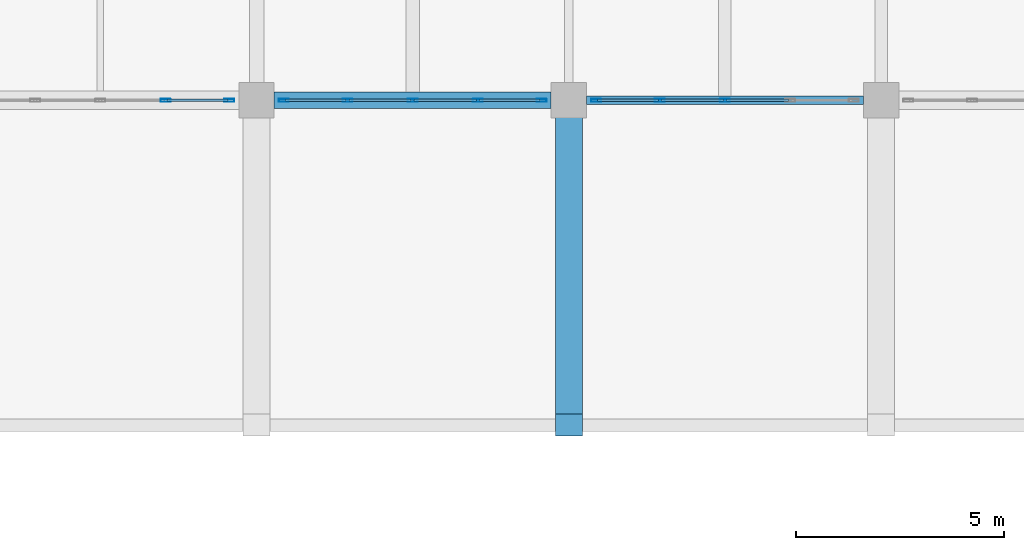
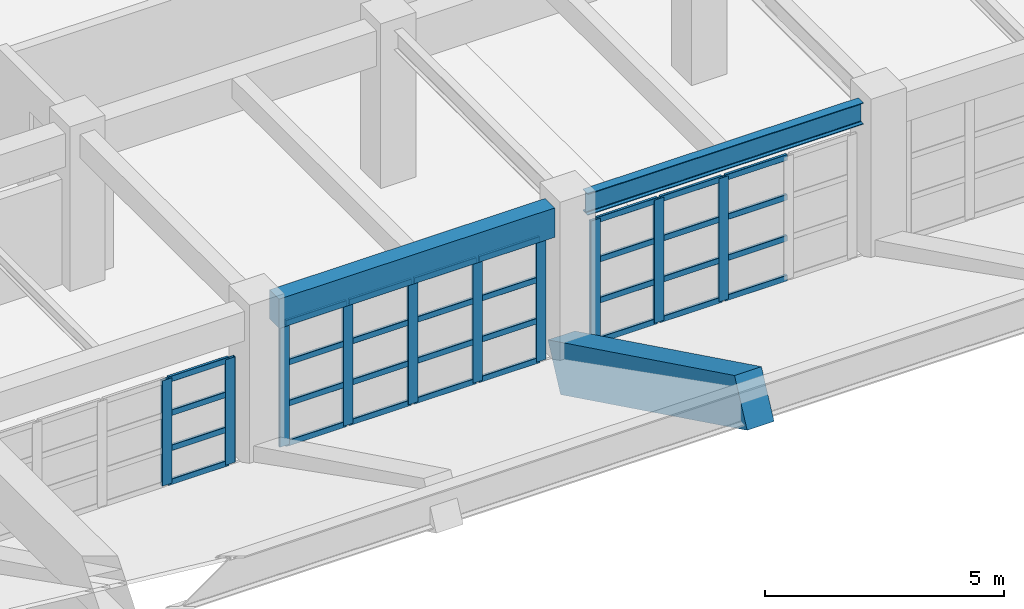
# One storey, part 30 of 132: 42 members, 3 beams, 3 elements without a shape of their own.
"""IFC4 building model written with IfcOpenShell, lengths in metres."""

from ifc_helpers import new_model, si_unit, direction, frame, origin, origin_2d, place, context, subcontext, project, spatial, rectangle, hollow_rectangle, i_section, extrude, material, material_profile, profile_set, type_object, element, aggregate, save


model = new_model("IFC4")

# Units and contexts
model_context = context("Model", 3, precision=1e-05, world=origin(), true_north=direction((0.0, 1.0)))
body_context = subcontext(model_context, "Body", "Model", "MODEL_VIEW")
ifc_project = project(units=[si_unit("LENGTHUNIT", "METRE"), si_unit("AREAUNIT", "SQUARE_METRE"), si_unit("VOLUMEUNIT", "CUBIC_METRE"), si_unit("PLANEANGLEUNIT", "RADIAN"), si_unit("MASSUNIT", "GRAM", prefix="KILO")], contexts=[model_context])

# Site, building, storey
site_placement = place(None, origin())
site = spatial("IfcSite", under=ifc_project, at=site_placement, CompositionType="ELEMENT")
building_placement = place(site_placement, origin())
building = spatial("IfcBuilding", under=site, at=building_placement, Name="Qasida Concert Hall", CompositionType="ELEMENT")
storey_placement = place(building_placement, frame((0.0, 0.0, 4.800048828125)))
storey = spatial("IfcBuildingStorey", under=building, at=storey_placement, Name="L01", CompositionType="ELEMENT", Elevation=4.800048828125)

# Beams
ifc_material_1 = material(Name="Concrete C50/60", Category="concrete")
ifc_material_profile_1 = material_profile(ifc_material_1, rectangle(XDim=0.64990234375, YDim=1.199951171875, at=origin_2d()), Name="RC 650x1200")
ifc_profile_set_1 = profile_set([ifc_material_profile_1], Name="Concrete C50/60")
beam_type_1 = type_object("IfcBeamType", Name="BM-CG-1200", PredefinedType="USERDEFINED", material=ifc_profile_set_1)
beam_1_placement = place(storey_placement, frame((75.0, 22.5, -0.300048828125), z_axis=(0.0, -0.898079250291, 0.439833673332), x_axis=(1.0, 0.0, 0.0)))
element("IfcBeam", 1, at=beam_1_placement, inside=storey, type_object=beam_type_1, Name="Upward-raked entrance soffit girder CGRK-750", ObjectType="GIRDER", PredefinedType="USERDEFINED", context=body_context, shape_type="SweptSolid", body=[
    extrude(rectangle(XDim=0.64990234375, YDim=1.199951171875, at=origin_2d()), origin(), (0.0, 0.0, 1.0), 8.685302734375),
])
ifc_material_2 = material(Name="Concrete C40/50", Category="concrete")
ifc_material_profile_2 = material_profile(ifc_material_2, rectangle(XDim=0.39990234375, YDim=0.75, at=origin_2d()), Name="RC 400x750")
ifc_profile_set_2 = profile_set([ifc_material_profile_2], Name="Concrete C40/50")
beam_type_2 = type_object("IfcBeamType", Name="BM-SP1", PredefinedType="SPANDREL", material=ifc_profile_set_2)
beam_2_placement = place(storey_placement, frame((67.925048828125, 22.5, 3.544921875), z_axis=(1.0, 0.0, 0.0), x_axis=(0.0, 1.0, 0.0)))
element("IfcBeam", 2, at=beam_2_placement, inside=storey, type_object=beam_type_2, Name="Primary girder 0762", PredefinedType="SPANDREL", context=body_context, shape_type="SweptSolid", body=[
    extrude(rectangle(XDim=0.39990234375, YDim=0.75, at=origin_2d()), origin(), (0.0, 0.0, 1.0), 6.64990234375),
])
ifc_material_3 = material(Name="Steel S355J2", Category="steel")
ifc_material_profile_3 = material_profile(ifc_material_3, i_section(OverallWidth=0.2099609375, OverallDepth=0.550048828125, WebThickness=0.010986328125, FlangeThickness=0.01708984375, FilletRadius=0.02392578125, at=origin_2d()), Name="IPE 550")
ifc_profile_set_3 = profile_set([ifc_material_profile_3], Name="Steel S355J2")
beam_type_3 = type_object("IfcBeamType", Name="BM-SP2", PredefinedType="SPANDREL", material=ifc_profile_set_3)
beam_3_placement = place(storey_placement, frame((75.425048828125, 22.5, 3.64501953125), z_axis=(1.0, 0.0, 0.0), x_axis=(0.0, 1.0, 0.0)))
element("IfcBeam", 3, at=beam_3_placement, inside=storey, type_object=beam_type_3, Name="Primary girder 0763", PredefinedType="SPANDREL", context=body_context, shape_type="SweptSolid", body=[
    extrude(i_section(OverallWidth=0.2099609375, OverallDepth=0.550048828125, WebThickness=0.010986328125, FlangeThickness=0.01708984375, FilletRadius=0.02392578125, at=origin_2d()), origin(), (0.0, 0.0, 1.0), 6.64990234375),
])

# Curtain wall, members
ifc_material_4 = material(Name="Architectural bronze-anodized aluminium and low-E glass", Category="aluminium")
curtain_wall_type = type_object("IfcCurtainWallType", Name="CW-02", PredefinedType="NOTDEFINED", material=ifc_material_4)
curtain_wall_1_placement = place(storey_placement, origin())
curtain_wall_1 = element("IfcCurtainWall", 4, at=curtain_wall_1_placement, inside=storey, type_object=curtain_wall_type, Name="L01 curtain wall CW-02 0002", PredefinedType="NOTDEFINED")
ifc_material_5 = material(Name="Architectural bronze-anodized aluminium EN AW-6063", Category="aluminium")
ifc_material_profile_4 = material_profile(ifc_material_5, hollow_rectangle(XDim=0.070068359375, YDim=0.239990234375, WallThickness=0.0048828125, InnerFilletRadius=0.0048828125, OuterFilletRadius=0.010009765625, at=origin_2d()), Name="CWM 240x70x5")
ifc_profile_set_4 = profile_set([ifc_material_profile_4], Name="Architectural bronze-anodized aluminium EN AW-6063")
member_type_1 = type_object("IfcMemberType", Name="MB-CWM-1", PredefinedType="MULLION", material=ifc_profile_set_4)
member_1_placement = place(storey_placement, frame((65.31494140625, 22.5, 0.0), z_axis=(0.0, 0.0, 1.0), x_axis=(0.0, 1.0, 0.0)))
member_1 = element("IfcMember", 5, at=member_1_placement, type_object=member_type_1, Name="CW-02 mullion 4", PredefinedType="MULLION", context=body_context, shape_type="SweptSolid", body=[
    extrude(hollow_rectangle(XDim=0.070068359375, YDim=0.239990234375, WallThickness=0.0048828125, InnerFilletRadius=0.0048828125, OuterFilletRadius=0.010009765625, at=origin_2d()), origin(), (0.0, 0.0, 1.0), 2.68994140625),
])
member_2_placement = place(storey_placement, frame((66.844970703125, 22.5, 0.0), z_axis=(0.0, 0.0, 1.0), x_axis=(0.0, 1.0, 0.0)))
member_2 = element("IfcMember", 6, at=member_2_placement, type_object=member_type_1, Name="CW-02 mullion 5", PredefinedType="MULLION", context=body_context, shape_type="SweptSolid", body=[
    extrude(hollow_rectangle(XDim=0.070068359375, YDim=0.239990234375, WallThickness=0.0048828125, InnerFilletRadius=0.0048828125, OuterFilletRadius=0.010009765625, at=origin_2d()), origin(), (0.0, 0.0, 1.0), 2.68994140625),
])

curtain_wall_2_placement = place(storey_placement, origin())
curtain_wall_2 = element("IfcCurtainWall", 7, at=curtain_wall_2_placement, inside=storey, type_object=curtain_wall_type, Name="L01 curtain wall CW-02 0003", PredefinedType="NOTDEFINED")
member_3_placement = place(storey_placement, frame((68.155029296875, 22.5, 0.0), z_axis=(0.0, 0.0, 1.0), x_axis=(0.0, 1.0, 0.0)))
member_3 = element("IfcMember", 8, at=member_3_placement, type_object=member_type_1, Name="CW-02 mullion 1", PredefinedType="MULLION", context=body_context, shape_type="SweptSolid", body=[
    extrude(hollow_rectangle(XDim=0.070068359375, YDim=0.239990234375, WallThickness=0.0048828125, InnerFilletRadius=0.0048828125, OuterFilletRadius=0.010009765625, at=origin_2d()), origin(), (0.0, 0.0, 1.0), 3.139892578125),
])
member_4_placement = place(storey_placement, frame((69.68505859375, 22.5, 0.0), z_axis=(0.0, 0.0, 1.0), x_axis=(0.0, 1.0, 0.0)))
member_4 = element("IfcMember", 9, at=member_4_placement, type_object=member_type_1, Name="CW-02 mullion 2", PredefinedType="MULLION", context=body_context, shape_type="SweptSolid", body=[
    extrude(hollow_rectangle(XDim=0.070068359375, YDim=0.239990234375, WallThickness=0.0048828125, InnerFilletRadius=0.0048828125, OuterFilletRadius=0.010009765625, at=origin_2d()), origin(), (0.0, 0.0, 1.0), 3.139892578125),
])
member_5_placement = place(storey_placement, frame((71.25, 22.5, 0.0), z_axis=(0.0, 0.0, 1.0), x_axis=(0.0, 1.0, 0.0)))
member_5 = element("IfcMember", 10, at=member_5_placement, type_object=member_type_1, Name="CW-02 mullion 3", PredefinedType="MULLION", context=body_context, shape_type="SweptSolid", body=[
    extrude(hollow_rectangle(XDim=0.070068359375, YDim=0.239990234375, WallThickness=0.0048828125, InnerFilletRadius=0.0048828125, OuterFilletRadius=0.010009765625, at=origin_2d()), origin(), (0.0, 0.0, 1.0), 3.139892578125),
])
member_6_placement = place(storey_placement, frame((72.81494140625, 22.5, 0.0), z_axis=(0.0, 0.0, 1.0), x_axis=(0.0, 1.0, 0.0)))
member_6 = element("IfcMember", 11, at=member_6_placement, type_object=member_type_1, Name="CW-02 mullion 4", PredefinedType="MULLION", context=body_context, shape_type="SweptSolid", body=[
    extrude(hollow_rectangle(XDim=0.070068359375, YDim=0.239990234375, WallThickness=0.0048828125, InnerFilletRadius=0.0048828125, OuterFilletRadius=0.010009765625, at=origin_2d()), origin(), (0.0, 0.0, 1.0), 3.139892578125),
])
member_7_placement = place(storey_placement, frame((74.344970703125, 22.5, 0.0), z_axis=(0.0, 0.0, 1.0), x_axis=(0.0, 1.0, 0.0)))
member_7 = element("IfcMember", 12, at=member_7_placement, type_object=member_type_1, Name="CW-02 mullion 5", PredefinedType="MULLION", context=body_context, shape_type="SweptSolid", body=[
    extrude(hollow_rectangle(XDim=0.070068359375, YDim=0.239990234375, WallThickness=0.0048828125, InnerFilletRadius=0.0048828125, OuterFilletRadius=0.010009765625, at=origin_2d()), origin(), (0.0, 0.0, 1.0), 3.139892578125),
])

curtain_wall_3_placement = place(storey_placement, origin())
curtain_wall_3 = element("IfcCurtainWall", 13, at=curtain_wall_3_placement, inside=storey, type_object=curtain_wall_type, Name="L01 curtain wall CW-02 0004", PredefinedType="NOTDEFINED")
member_8_placement = place(storey_placement, frame((75.655029296875, 22.5, 0.0), z_axis=(0.0, 0.0, 1.0), x_axis=(0.0, 1.0, 0.0)))
member_8 = element("IfcMember", 14, at=member_8_placement, type_object=member_type_1, Name="CW-02 mullion 1", PredefinedType="MULLION", context=body_context, shape_type="SweptSolid", body=[
    extrude(hollow_rectangle(XDim=0.070068359375, YDim=0.239990234375, WallThickness=0.0048828125, InnerFilletRadius=0.0048828125, OuterFilletRadius=0.010009765625, at=origin_2d()), origin(), (0.0, 0.0, 1.0), 3.139892578125),
])
member_9_placement = place(storey_placement, frame((77.18505859375, 22.5, 0.0), z_axis=(0.0, 0.0, 1.0), x_axis=(0.0, 1.0, 0.0)))
member_9 = element("IfcMember", 15, at=member_9_placement, type_object=member_type_1, Name="CW-02 mullion 2", PredefinedType="MULLION", context=body_context, shape_type="SweptSolid", body=[
    extrude(hollow_rectangle(XDim=0.070068359375, YDim=0.239990234375, WallThickness=0.0048828125, InnerFilletRadius=0.0048828125, OuterFilletRadius=0.010009765625, at=origin_2d()), origin(), (0.0, 0.0, 1.0), 3.139892578125),
])
member_10_placement = place(storey_placement, frame((78.75, 22.5, 0.0), z_axis=(0.0, 0.0, 1.0), x_axis=(0.0, 1.0, 0.0)))
member_10 = element("IfcMember", 16, at=member_10_placement, type_object=member_type_1, Name="CW-02 mullion 3", PredefinedType="MULLION", context=body_context, shape_type="SweptSolid", body=[
    extrude(hollow_rectangle(XDim=0.070068359375, YDim=0.239990234375, WallThickness=0.0048828125, InnerFilletRadius=0.0048828125, OuterFilletRadius=0.010009765625, at=origin_2d()), origin(), (0.0, 0.0, 1.0), 3.139892578125),
])

# Member
ifc_material_profile_5 = material_profile(ifc_material_5, hollow_rectangle(XDim=0.06494140625, YDim=0.14990234375, WallThickness=0.00390625, InnerFilletRadius=0.00390625, OuterFilletRadius=0.008056640625, at=origin_2d()), Name="CWT 150x65x4")
ifc_profile_set_5 = profile_set([ifc_material_profile_5], Name="Architectural bronze-anodized aluminium EN AW-6063")
member_type_2 = type_object("IfcMemberType", Name="MB-CWT-1", PredefinedType="USERDEFINED", material=ifc_profile_set_5)
member_11_placement = place(storey_placement, frame((65.35009765625, 22.5, 0.032470703125), z_axis=(1.0, 0.0, 0.0), x_axis=(0.0, 1.0, 0.0)))
member_11 = element("IfcMember", 17, at=member_11_placement, type_object=member_type_2, Name="CW-02 transom 4.1", ObjectType="TRANSOM", PredefinedType="USERDEFINED", context=body_context, shape_type="SweptSolid", body=[
    extrude(hollow_rectangle(XDim=0.06494140625, YDim=0.14990234375, WallThickness=0.00390625, InnerFilletRadius=0.00390625, OuterFilletRadius=0.008056640625, at=origin_2d()), origin(), (0.0, 0.0, 1.0), 1.4599609375),
])

member_12_placement = place(storey_placement, frame((65.35009765625, 22.5, 0.896728515625), z_axis=(1.0, 0.0, 0.0), x_axis=(0.0, 1.0, 0.0)))
member_12 = element("IfcMember", 18, at=member_12_placement, type_object=member_type_2, Name="CW-02 transom 4.2", ObjectType="TRANSOM", PredefinedType="USERDEFINED", context=body_context, shape_type="SweptSolid", body=[
    extrude(hollow_rectangle(XDim=0.06494140625, YDim=0.14990234375, WallThickness=0.00390625, InnerFilletRadius=0.00390625, OuterFilletRadius=0.008056640625, at=origin_2d()), origin(), (0.0, 0.0, 1.0), 1.4599609375),
])

member_13_placement = place(storey_placement, frame((65.35009765625, 22.5, 1.793212890625), z_axis=(1.0, 0.0, 0.0), x_axis=(0.0, 1.0, 0.0)))
member_13 = element("IfcMember", 19, at=member_13_placement, type_object=member_type_2, Name="CW-02 transom 4.3", ObjectType="TRANSOM", PredefinedType="USERDEFINED", context=body_context, shape_type="SweptSolid", body=[
    extrude(hollow_rectangle(XDim=0.06494140625, YDim=0.14990234375, WallThickness=0.00390625, InnerFilletRadius=0.00390625, OuterFilletRadius=0.008056640625, at=origin_2d()), origin(), (0.0, 0.0, 1.0), 1.4599609375),
])

member_14_placement = place(storey_placement, frame((65.35009765625, 22.5, 2.657470703125), z_axis=(1.0, 0.0, 0.0), x_axis=(0.0, 1.0, 0.0)))
member_14 = element("IfcMember", 20, at=member_14_placement, type_object=member_type_2, Name="CW-02 transom 4.4", ObjectType="TRANSOM", PredefinedType="USERDEFINED", context=body_context, shape_type="SweptSolid", body=[
    extrude(hollow_rectangle(XDim=0.06494140625, YDim=0.14990234375, WallThickness=0.00390625, InnerFilletRadius=0.00390625, OuterFilletRadius=0.008056640625, at=origin_2d()), origin(), (0.0, 0.0, 1.0), 1.4599609375),
])

aggregate(curtain_wall_1, [member_1, member_2, member_11, member_12, member_13, member_14])

member_15_placement = place(storey_placement, frame((68.18994140625, 22.5, 0.032470703125), z_axis=(1.0, 0.0, 0.0), x_axis=(0.0, 1.0, 0.0)))
member_15 = element("IfcMember", 21, at=member_15_placement, type_object=member_type_2, Name="CW-02 transom 1.1", ObjectType="TRANSOM", PredefinedType="USERDEFINED", context=body_context, shape_type="SweptSolid", body=[
    extrude(hollow_rectangle(XDim=0.06494140625, YDim=0.14990234375, WallThickness=0.00390625, InnerFilletRadius=0.00390625, OuterFilletRadius=0.008056640625, at=origin_2d()), origin(), (0.0, 0.0, 1.0), 1.4599609375),
])

member_16_placement = place(storey_placement, frame((68.18994140625, 22.5, 1.046630859375), z_axis=(1.0, 0.0, 0.0), x_axis=(0.0, 1.0, 0.0)))
member_16 = element("IfcMember", 22, at=member_16_placement, type_object=member_type_2, Name="CW-02 transom 1.2", ObjectType="TRANSOM", PredefinedType="USERDEFINED", context=body_context, shape_type="SweptSolid", body=[
    extrude(hollow_rectangle(XDim=0.06494140625, YDim=0.14990234375, WallThickness=0.00390625, InnerFilletRadius=0.00390625, OuterFilletRadius=0.008056640625, at=origin_2d()), origin(), (0.0, 0.0, 1.0), 1.4599609375),
])

member_17_placement = place(storey_placement, frame((68.18994140625, 22.5, 2.09326171875), z_axis=(1.0, 0.0, 0.0), x_axis=(0.0, 1.0, 0.0)))
member_17 = element("IfcMember", 23, at=member_17_placement, type_object=member_type_2, Name="CW-02 transom 1.3", ObjectType="TRANSOM", PredefinedType="USERDEFINED", context=body_context, shape_type="SweptSolid", body=[
    extrude(hollow_rectangle(XDim=0.06494140625, YDim=0.14990234375, WallThickness=0.00390625, InnerFilletRadius=0.00390625, OuterFilletRadius=0.008056640625, at=origin_2d()), origin(), (0.0, 0.0, 1.0), 1.4599609375),
])

member_18_placement = place(storey_placement, frame((68.18994140625, 22.5, 3.107421875), z_axis=(1.0, 0.0, 0.0), x_axis=(0.0, 1.0, 0.0)))
member_18 = element("IfcMember", 24, at=member_18_placement, type_object=member_type_2, Name="CW-02 transom 1.4", ObjectType="TRANSOM", PredefinedType="USERDEFINED", context=body_context, shape_type="SweptSolid", body=[
    extrude(hollow_rectangle(XDim=0.06494140625, YDim=0.14990234375, WallThickness=0.00390625, InnerFilletRadius=0.00390625, OuterFilletRadius=0.008056640625, at=origin_2d()), origin(), (0.0, 0.0, 1.0), 1.4599609375),
])

member_19_placement = place(storey_placement, frame((69.719970703125, 22.5, 0.032470703125), z_axis=(1.0, 0.0, 0.0), x_axis=(0.0, 1.0, 0.0)))
member_19 = element("IfcMember", 25, at=member_19_placement, type_object=member_type_2, Name="CW-02 transom 2.1", ObjectType="TRANSOM", PredefinedType="USERDEFINED", context=body_context, shape_type="SweptSolid", body=[
    extrude(hollow_rectangle(XDim=0.06494140625, YDim=0.14990234375, WallThickness=0.00390625, InnerFilletRadius=0.00390625, OuterFilletRadius=0.008056640625, at=origin_2d()), origin(), (0.0, 0.0, 1.0), 1.4951171875),
])

member_20_placement = place(storey_placement, frame((69.719970703125, 22.5, 1.046630859375), z_axis=(1.0, 0.0, 0.0), x_axis=(0.0, 1.0, 0.0)))
member_20 = element("IfcMember", 26, at=member_20_placement, type_object=member_type_2, Name="CW-02 transom 2.2", ObjectType="TRANSOM", PredefinedType="USERDEFINED", context=body_context, shape_type="SweptSolid", body=[
    extrude(hollow_rectangle(XDim=0.06494140625, YDim=0.14990234375, WallThickness=0.00390625, InnerFilletRadius=0.00390625, OuterFilletRadius=0.008056640625, at=origin_2d()), origin(), (0.0, 0.0, 1.0), 1.4951171875),
])

member_21_placement = place(storey_placement, frame((69.719970703125, 22.5, 2.09326171875), z_axis=(1.0, 0.0, 0.0), x_axis=(0.0, 1.0, 0.0)))
member_21 = element("IfcMember", 27, at=member_21_placement, type_object=member_type_2, Name="CW-02 transom 2.3", ObjectType="TRANSOM", PredefinedType="USERDEFINED", context=body_context, shape_type="SweptSolid", body=[
    extrude(hollow_rectangle(XDim=0.06494140625, YDim=0.14990234375, WallThickness=0.00390625, InnerFilletRadius=0.00390625, OuterFilletRadius=0.008056640625, at=origin_2d()), origin(), (0.0, 0.0, 1.0), 1.4951171875),
])

member_22_placement = place(storey_placement, frame((69.719970703125, 22.5, 3.107421875), z_axis=(1.0, 0.0, 0.0), x_axis=(0.0, 1.0, 0.0)))
member_22 = element("IfcMember", 28, at=member_22_placement, type_object=member_type_2, Name="CW-02 transom 2.4", ObjectType="TRANSOM", PredefinedType="USERDEFINED", context=body_context, shape_type="SweptSolid", body=[
    extrude(hollow_rectangle(XDim=0.06494140625, YDim=0.14990234375, WallThickness=0.00390625, InnerFilletRadius=0.00390625, OuterFilletRadius=0.008056640625, at=origin_2d()), origin(), (0.0, 0.0, 1.0), 1.4951171875),
])

member_23_placement = place(storey_placement, frame((71.284912109375, 22.5, 0.032470703125), z_axis=(1.0, 0.0, 0.0), x_axis=(0.0, 1.0, 0.0)))
member_23 = element("IfcMember", 29, at=member_23_placement, type_object=member_type_2, Name="CW-02 transom 3.1", ObjectType="TRANSOM", PredefinedType="USERDEFINED", context=body_context, shape_type="SweptSolid", body=[
    extrude(hollow_rectangle(XDim=0.06494140625, YDim=0.14990234375, WallThickness=0.00390625, InnerFilletRadius=0.00390625, OuterFilletRadius=0.008056640625, at=origin_2d()), origin(), (0.0, 0.0, 1.0), 1.4951171875),
])

member_24_placement = place(storey_placement, frame((71.284912109375, 22.5, 1.046630859375), z_axis=(1.0, 0.0, 0.0), x_axis=(0.0, 1.0, 0.0)))
member_24 = element("IfcMember", 30, at=member_24_placement, type_object=member_type_2, Name="CW-02 transom 3.2", ObjectType="TRANSOM", PredefinedType="USERDEFINED", context=body_context, shape_type="SweptSolid", body=[
    extrude(hollow_rectangle(XDim=0.06494140625, YDim=0.14990234375, WallThickness=0.00390625, InnerFilletRadius=0.00390625, OuterFilletRadius=0.008056640625, at=origin_2d()), origin(), (0.0, 0.0, 1.0), 1.4951171875),
])

member_25_placement = place(storey_placement, frame((71.284912109375, 22.5, 2.09326171875), z_axis=(1.0, 0.0, 0.0), x_axis=(0.0, 1.0, 0.0)))
member_25 = element("IfcMember", 31, at=member_25_placement, type_object=member_type_2, Name="CW-02 transom 3.3", ObjectType="TRANSOM", PredefinedType="USERDEFINED", context=body_context, shape_type="SweptSolid", body=[
    extrude(hollow_rectangle(XDim=0.06494140625, YDim=0.14990234375, WallThickness=0.00390625, InnerFilletRadius=0.00390625, OuterFilletRadius=0.008056640625, at=origin_2d()), origin(), (0.0, 0.0, 1.0), 1.4951171875),
])

member_26_placement = place(storey_placement, frame((71.284912109375, 22.5, 3.107421875), z_axis=(1.0, 0.0, 0.0), x_axis=(0.0, 1.0, 0.0)))
member_26 = element("IfcMember", 32, at=member_26_placement, type_object=member_type_2, Name="CW-02 transom 3.4", ObjectType="TRANSOM", PredefinedType="USERDEFINED", context=body_context, shape_type="SweptSolid", body=[
    extrude(hollow_rectangle(XDim=0.06494140625, YDim=0.14990234375, WallThickness=0.00390625, InnerFilletRadius=0.00390625, OuterFilletRadius=0.008056640625, at=origin_2d()), origin(), (0.0, 0.0, 1.0), 1.4951171875),
])

member_27_placement = place(storey_placement, frame((72.85009765625, 22.5, 0.032470703125), z_axis=(1.0, 0.0, 0.0), x_axis=(0.0, 1.0, 0.0)))
member_27 = element("IfcMember", 33, at=member_27_placement, type_object=member_type_2, Name="CW-02 transom 4.1", ObjectType="TRANSOM", PredefinedType="USERDEFINED", context=body_context, shape_type="SweptSolid", body=[
    extrude(hollow_rectangle(XDim=0.06494140625, YDim=0.14990234375, WallThickness=0.00390625, InnerFilletRadius=0.00390625, OuterFilletRadius=0.008056640625, at=origin_2d()), origin(), (0.0, 0.0, 1.0), 1.4599609375),
])

member_28_placement = place(storey_placement, frame((72.85009765625, 22.5, 1.046630859375), z_axis=(1.0, 0.0, 0.0), x_axis=(0.0, 1.0, 0.0)))
member_28 = element("IfcMember", 34, at=member_28_placement, type_object=member_type_2, Name="CW-02 transom 4.2", ObjectType="TRANSOM", PredefinedType="USERDEFINED", context=body_context, shape_type="SweptSolid", body=[
    extrude(hollow_rectangle(XDim=0.06494140625, YDim=0.14990234375, WallThickness=0.00390625, InnerFilletRadius=0.00390625, OuterFilletRadius=0.008056640625, at=origin_2d()), origin(), (0.0, 0.0, 1.0), 1.4599609375),
])

member_29_placement = place(storey_placement, frame((72.85009765625, 22.5, 2.09326171875), z_axis=(1.0, 0.0, 0.0), x_axis=(0.0, 1.0, 0.0)))
member_29 = element("IfcMember", 35, at=member_29_placement, type_object=member_type_2, Name="CW-02 transom 4.3", ObjectType="TRANSOM", PredefinedType="USERDEFINED", context=body_context, shape_type="SweptSolid", body=[
    extrude(hollow_rectangle(XDim=0.06494140625, YDim=0.14990234375, WallThickness=0.00390625, InnerFilletRadius=0.00390625, OuterFilletRadius=0.008056640625, at=origin_2d()), origin(), (0.0, 0.0, 1.0), 1.4599609375),
])

member_30_placement = place(storey_placement, frame((72.85009765625, 22.5, 3.107421875), z_axis=(1.0, 0.0, 0.0), x_axis=(0.0, 1.0, 0.0)))
member_30 = element("IfcMember", 36, at=member_30_placement, type_object=member_type_2, Name="CW-02 transom 4.4", ObjectType="TRANSOM", PredefinedType="USERDEFINED", context=body_context, shape_type="SweptSolid", body=[
    extrude(hollow_rectangle(XDim=0.06494140625, YDim=0.14990234375, WallThickness=0.00390625, InnerFilletRadius=0.00390625, OuterFilletRadius=0.008056640625, at=origin_2d()), origin(), (0.0, 0.0, 1.0), 1.4599609375),
])

aggregate(curtain_wall_2, [member_3, member_4, member_5, member_6, member_7, member_15, member_16, member_17, member_18, member_19, member_20, member_21, member_22, member_23, member_24, member_25, member_26, member_27, member_28, member_29, member_30])

member_31_placement = place(storey_placement, frame((75.68994140625, 22.5, 0.032470703125), z_axis=(1.0, 0.0, 0.0), x_axis=(0.0, 1.0, 0.0)))
member_31 = element("IfcMember", 37, at=member_31_placement, type_object=member_type_2, Name="CW-02 transom 1.1", ObjectType="TRANSOM", PredefinedType="USERDEFINED", context=body_context, shape_type="SweptSolid", body=[
    extrude(hollow_rectangle(XDim=0.06494140625, YDim=0.14990234375, WallThickness=0.00390625, InnerFilletRadius=0.00390625, OuterFilletRadius=0.008056640625, at=origin_2d()), origin(), (0.0, 0.0, 1.0), 1.4599609375),
])

member_32_placement = place(storey_placement, frame((75.68994140625, 22.5, 1.046630859375), z_axis=(1.0, 0.0, 0.0), x_axis=(0.0, 1.0, 0.0)))
member_32 = element("IfcMember", 38, at=member_32_placement, type_object=member_type_2, Name="CW-02 transom 1.2", ObjectType="TRANSOM", PredefinedType="USERDEFINED", context=body_context, shape_type="SweptSolid", body=[
    extrude(hollow_rectangle(XDim=0.06494140625, YDim=0.14990234375, WallThickness=0.00390625, InnerFilletRadius=0.00390625, OuterFilletRadius=0.008056640625, at=origin_2d()), origin(), (0.0, 0.0, 1.0), 1.4599609375),
])

member_33_placement = place(storey_placement, frame((75.68994140625, 22.5, 2.09326171875), z_axis=(1.0, 0.0, 0.0), x_axis=(0.0, 1.0, 0.0)))
member_33 = element("IfcMember", 39, at=member_33_placement, type_object=member_type_2, Name="CW-02 transom 1.3", ObjectType="TRANSOM", PredefinedType="USERDEFINED", context=body_context, shape_type="SweptSolid", body=[
    extrude(hollow_rectangle(XDim=0.06494140625, YDim=0.14990234375, WallThickness=0.00390625, InnerFilletRadius=0.00390625, OuterFilletRadius=0.008056640625, at=origin_2d()), origin(), (0.0, 0.0, 1.0), 1.4599609375),
])

member_34_placement = place(storey_placement, frame((75.68994140625, 22.5, 3.107421875), z_axis=(1.0, 0.0, 0.0), x_axis=(0.0, 1.0, 0.0)))
member_34 = element("IfcMember", 40, at=member_34_placement, type_object=member_type_2, Name="CW-02 transom 1.4", ObjectType="TRANSOM", PredefinedType="USERDEFINED", context=body_context, shape_type="SweptSolid", body=[
    extrude(hollow_rectangle(XDim=0.06494140625, YDim=0.14990234375, WallThickness=0.00390625, InnerFilletRadius=0.00390625, OuterFilletRadius=0.008056640625, at=origin_2d()), origin(), (0.0, 0.0, 1.0), 1.4599609375),
])

member_35_placement = place(storey_placement, frame((77.219970703125, 22.5, 0.032470703125), z_axis=(1.0, 0.0, 0.0), x_axis=(0.0, 1.0, 0.0)))
member_35 = element("IfcMember", 41, at=member_35_placement, type_object=member_type_2, Name="CW-02 transom 2.1", ObjectType="TRANSOM", PredefinedType="USERDEFINED", context=body_context, shape_type="SweptSolid", body=[
    extrude(hollow_rectangle(XDim=0.06494140625, YDim=0.14990234375, WallThickness=0.00390625, InnerFilletRadius=0.00390625, OuterFilletRadius=0.008056640625, at=origin_2d()), origin(), (0.0, 0.0, 1.0), 1.4951171875),
])

member_36_placement = place(storey_placement, frame((77.219970703125, 22.5, 1.046630859375), z_axis=(1.0, 0.0, 0.0), x_axis=(0.0, 1.0, 0.0)))
member_36 = element("IfcMember", 42, at=member_36_placement, type_object=member_type_2, Name="CW-02 transom 2.2", ObjectType="TRANSOM", PredefinedType="USERDEFINED", context=body_context, shape_type="SweptSolid", body=[
    extrude(hollow_rectangle(XDim=0.06494140625, YDim=0.14990234375, WallThickness=0.00390625, InnerFilletRadius=0.00390625, OuterFilletRadius=0.008056640625, at=origin_2d()), origin(), (0.0, 0.0, 1.0), 1.4951171875),
])

member_37_placement = place(storey_placement, frame((77.219970703125, 22.5, 2.09326171875), z_axis=(1.0, 0.0, 0.0), x_axis=(0.0, 1.0, 0.0)))
member_37 = element("IfcMember", 43, at=member_37_placement, type_object=member_type_2, Name="CW-02 transom 2.3", ObjectType="TRANSOM", PredefinedType="USERDEFINED", context=body_context, shape_type="SweptSolid", body=[
    extrude(hollow_rectangle(XDim=0.06494140625, YDim=0.14990234375, WallThickness=0.00390625, InnerFilletRadius=0.00390625, OuterFilletRadius=0.008056640625, at=origin_2d()), origin(), (0.0, 0.0, 1.0), 1.4951171875),
])

member_38_placement = place(storey_placement, frame((77.219970703125, 22.5, 3.107421875), z_axis=(1.0, 0.0, 0.0), x_axis=(0.0, 1.0, 0.0)))
member_38 = element("IfcMember", 44, at=member_38_placement, type_object=member_type_2, Name="CW-02 transom 2.4", ObjectType="TRANSOM", PredefinedType="USERDEFINED", context=body_context, shape_type="SweptSolid", body=[
    extrude(hollow_rectangle(XDim=0.06494140625, YDim=0.14990234375, WallThickness=0.00390625, InnerFilletRadius=0.00390625, OuterFilletRadius=0.008056640625, at=origin_2d()), origin(), (0.0, 0.0, 1.0), 1.4951171875),
])

member_39_placement = place(storey_placement, frame((78.784912109375, 22.5, 0.032470703125), z_axis=(1.0, 0.0, 0.0), x_axis=(0.0, 1.0, 0.0)))
member_39 = element("IfcMember", 45, at=member_39_placement, type_object=member_type_2, Name="CW-02 transom 3.1", ObjectType="TRANSOM", PredefinedType="USERDEFINED", context=body_context, shape_type="SweptSolid", body=[
    extrude(hollow_rectangle(XDim=0.06494140625, YDim=0.14990234375, WallThickness=0.00390625, InnerFilletRadius=0.00390625, OuterFilletRadius=0.008056640625, at=origin_2d()), origin(), (0.0, 0.0, 1.0), 1.4951171875),
])

member_40_placement = place(storey_placement, frame((78.784912109375, 22.5, 1.046630859375), z_axis=(1.0, 0.0, 0.0), x_axis=(0.0, 1.0, 0.0)))
member_40 = element("IfcMember", 46, at=member_40_placement, type_object=member_type_2, Name="CW-02 transom 3.2", ObjectType="TRANSOM", PredefinedType="USERDEFINED", context=body_context, shape_type="SweptSolid", body=[
    extrude(hollow_rectangle(XDim=0.06494140625, YDim=0.14990234375, WallThickness=0.00390625, InnerFilletRadius=0.00390625, OuterFilletRadius=0.008056640625, at=origin_2d()), origin(), (0.0, 0.0, 1.0), 1.4951171875),
])

member_41_placement = place(storey_placement, frame((78.784912109375, 22.5, 2.09326171875), z_axis=(1.0, 0.0, 0.0), x_axis=(0.0, 1.0, 0.0)))
member_41 = element("IfcMember", 47, at=member_41_placement, type_object=member_type_2, Name="CW-02 transom 3.3", ObjectType="TRANSOM", PredefinedType="USERDEFINED", context=body_context, shape_type="SweptSolid", body=[
    extrude(hollow_rectangle(XDim=0.06494140625, YDim=0.14990234375, WallThickness=0.00390625, InnerFilletRadius=0.00390625, OuterFilletRadius=0.008056640625, at=origin_2d()), origin(), (0.0, 0.0, 1.0), 1.4951171875),
])

member_42_placement = place(storey_placement, frame((78.784912109375, 22.5, 3.107421875), z_axis=(1.0, 0.0, 0.0), x_axis=(0.0, 1.0, 0.0)))
member_42 = element("IfcMember", 48, at=member_42_placement, type_object=member_type_2, Name="CW-02 transom 3.4", ObjectType="TRANSOM", PredefinedType="USERDEFINED", context=body_context, shape_type="SweptSolid", body=[
    extrude(hollow_rectangle(XDim=0.06494140625, YDim=0.14990234375, WallThickness=0.00390625, InnerFilletRadius=0.00390625, OuterFilletRadius=0.008056640625, at=origin_2d()), origin(), (0.0, 0.0, 1.0), 1.4951171875),
])

aggregate(curtain_wall_3, [member_8, member_9, member_10, member_31, member_32, member_33, member_34, member_35, member_36, member_37, member_38, member_39, member_40, member_41, member_42])

save(model, "model.ifc")
